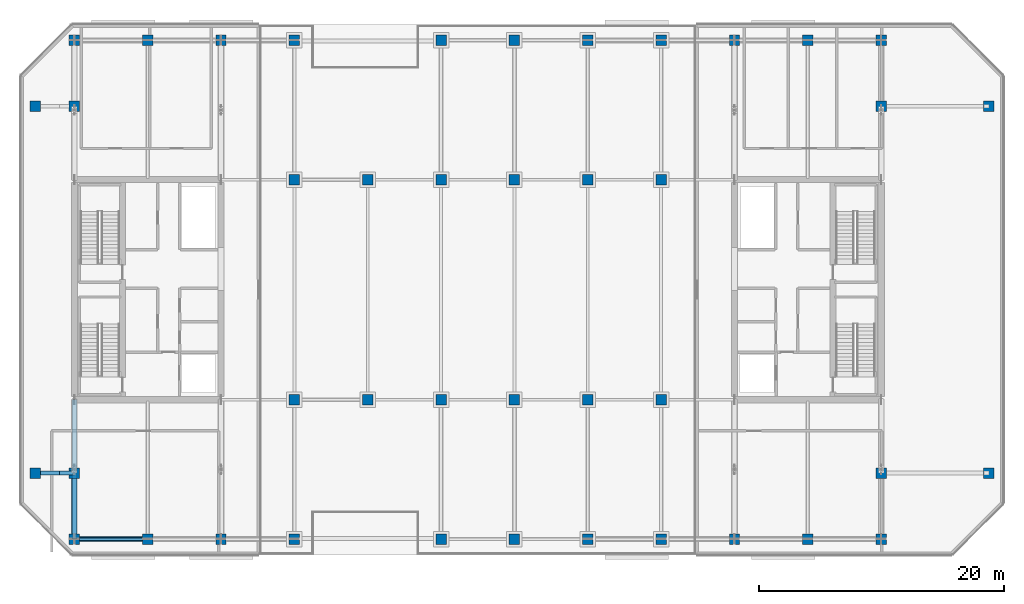
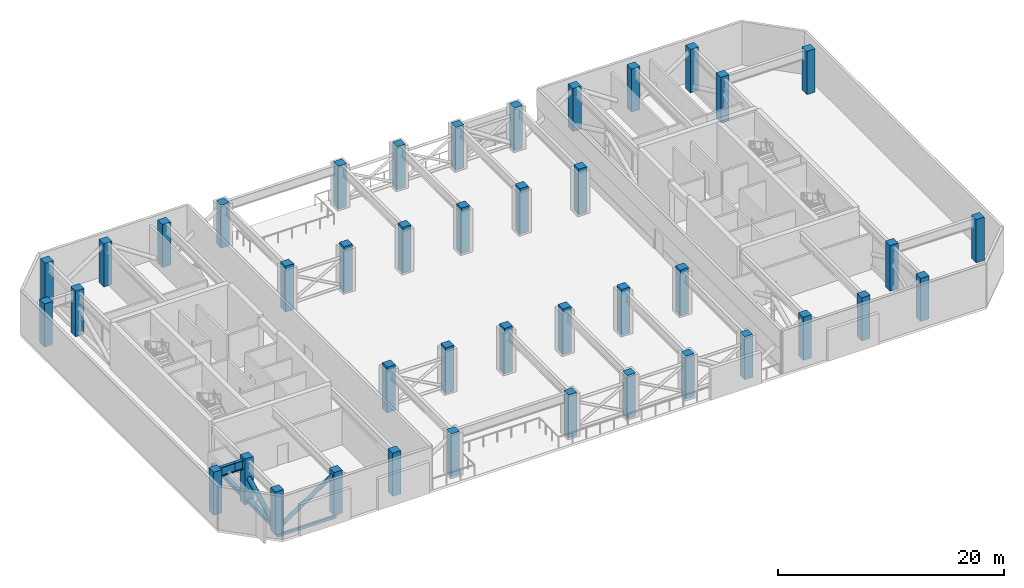
# One storey, part 1 of 18: 42 columns, 3 beams, 3 members.
"""IFC4 building model written with IfcOpenShell, lengths in metres."""

from ifc_helpers import new_model, si_unit, direction, frame, origin, origin_2d, place, context, subcontext, project, spatial, rectangle, hollow_rectangle, hollow_circle, i_section, extrude, material, material_profile, profile_set, type_object, element, save


model = new_model("IFC4")

# Units and contexts
model_context = context("Model", 3, precision=1e-05, world=origin(), true_north=direction((0.0, 1.0)))
body_context = subcontext(model_context, "Body", "Model", "MODEL_VIEW")
ifc_project = project(units=[si_unit("LENGTHUNIT", "METRE"), si_unit("AREAUNIT", "SQUARE_METRE"), si_unit("VOLUMEUNIT", "CUBIC_METRE"), si_unit("PLANEANGLEUNIT", "RADIAN"), si_unit("MASSUNIT", "GRAM", prefix="KILO")], contexts=[model_context])

# Site, building, storey
site_placement = place(None, origin())
site = spatial("IfcSite", under=ifc_project, at=site_placement, CompositionType="ELEMENT")
building_placement = place(site_placement, origin())
building = spatial("IfcBuilding", under=site, at=building_placement, Name="Tanjung Sevakor Pilgrim Tower", CompositionType="ELEMENT")
storey_placement = place(building_placement, frame((0.0, 0.0, 172.919921875)))
storey = spatial("IfcBuildingStorey", under=building, at=storey_placement, Name="L48", CompositionType="ELEMENT", Elevation=172.919921875)

# Columns
ifc_material_1 = material(Name="Concrete C60/75", Category="concrete")
ifc_material_profile_1 = material_profile(ifc_material_1, rectangle(XDim=0.85009765625, YDim=0.85009765625, at=origin_2d()))
ifc_profile_set_1 = profile_set([ifc_material_profile_1], Name="Concrete C60/75")
column_type = type_object("IfcColumnType", Name="COL-C-T850-RC_850x850", PredefinedType="COLUMN", material=ifc_profile_set_1)
for number, where, z_axis, x_axis, name in (
    (1, (42.0, 24.60009765625, 0.0), (0.0, 0.0, 1.0), (1.0, 0.0, 0.0), "L48 Column SPW-042-246"),
    (2, (42.0, 42.60009765625, 0.0), (0.0, 0.0, 1.0), (1.0, 0.0, 0.0), "L48 Column SPW-042-426"),
    (3, (48.0, 24.60009765625, 0.0), (0.0, 0.0, 1.0), (1.0, 0.0, 0.0), "L48 Column SPW-048-246"),
    (4, (48.0, 42.60009765625, 0.0), (0.0, 0.0, 1.0), (1.0, 0.0, 0.0), "L48 Column SPW-048-426"),
    (5, (54.0, 24.60009765625, 0.0), (0.0, 0.0, 1.0), (1.0, 0.0, 0.0), "L48 Column SPE-054-246"),
    (6, (54.0, 42.60009765625, 0.0), (0.0, 0.0, 1.0), (1.0, 0.0, 0.0), "L48 Column SPE-054-426"),
    (7, (60.0, 24.60009765625, 0.0), (0.0, 0.0, 1.0), (1.0, 0.0, 0.0), "L48 Column SPE-060-246"),
    (8, (60.0, 42.60009765625, 0.0), (0.0, 0.0, 1.0), (1.0, 0.0, 0.0), "L48 Column SPE-060-426"),
    (9, (66.0, 24.60009765625, 0.0), (0.0, 0.0, 1.0), (1.0, 0.0, 0.0), "L48 Column SPE-066-246"),
    (10, (66.0, 42.60009765625, 0.0), (0.0, 0.0, 1.0), (1.0, 0.0, 0.0), "L48 Column SPE-066-426"),
    (11, (72.0, 24.60009765625, 0.0), (0.0, 0.0, 1.0), (1.0, 0.0, 0.0), "L48 Column SPE-072-246"),
    (12, (72.0, 42.60009765625, 0.0), (0.0, 0.0, 1.0), (1.0, 0.0, 0.0), "L48 Column SPE-072-426"),
):
    element("IfcColumn", number, at=place(storey_placement, frame(where, z_axis=z_axis, x_axis=x_axis)), inside=storey, type_object=column_type, Name=name, PredefinedType="COLUMN", context=body_context, shape_type="SweptSolid", body=[
        extrude(rectangle(XDim=0.85009765625, YDim=0.85009765625, at=origin_2d()), origin(), (0.0, 0.0, 1.0), 4.9501953125),
    ])
for number, where, z_axis, x_axis, name in (
    (13, (20.800048828125, 18.60009765625, 0.0), (0.0, 0.0, 1.0), (1.0, 0.0, 0.0), "L48 Column TCE-0208-186"),
    (14, (20.800048828125, 48.60009765625, 0.0), (0.0, 0.0, 1.0), (1.0, 0.0, 0.0), "L48 Column TCE-0208-486"),
):
    element("IfcColumn", number, at=place(storey_placement, frame(where, z_axis=z_axis, x_axis=x_axis)), inside=storey, type_object=column_type, Name=name, PredefinedType="COLUMN", context=body_context, shape_type="SweptSolid", body=[
        extrude(rectangle(XDim=0.85009765625, YDim=0.85009765625, at=origin_2d()), origin(), (0.0, 0.0, 1.0), 4.670166015625),
    ])
for number, where, z_axis, x_axis, name in (
    (15, (24.0, 18.60009765625, 0.0), (0.0, 0.0, 1.0), (1.0, 0.0, 0.0), "L48 Column TCE-0240-186"),
    (16, (24.0, 48.60009765625, 0.0), (0.0, 0.0, 1.0), (1.0, 0.0, 0.0), "L48 Column TCE-0240-486"),
    (17, (90.0, 18.60009765625, 0.0), (0.0, 0.0, 1.0), (1.0, 0.0, 0.0), "L48 Column TCE-0900-186"),
    (18, (90.0, 48.60009765625, 0.0), (0.0, 0.0, 1.0), (1.0, 0.0, 0.0), "L48 Column TCE-0900-486"),
):
    element("IfcColumn", number, at=place(storey_placement, frame(where, z_axis=z_axis, x_axis=x_axis)), inside=storey, type_object=column_type, Name=name, PredefinedType="COLUMN", context=body_context, shape_type="SweptSolid", body=[
        extrude(rectangle(XDim=0.85009765625, YDim=0.85009765625, at=origin_2d()), origin(), (0.0, 0.0, 1.0), 4.9501953125),
    ])
for number, where, z_axis, x_axis, name in (
    (19, (98.800048828125, 18.60009765625, 0.0), (0.0, 0.0, 1.0), (1.0, 0.0, 0.0), "L48 Column TCE-0988-186"),
    (20, (98.800048828125, 48.60009765625, 0.0), (0.0, 0.0, 1.0), (1.0, 0.0, 0.0), "L48 Column TCE-0988-486"),
    (21, (24.0, 13.199951171875, 0.0), (0.0, 0.0, 1.0), (1.0, 0.0, 0.0), "L48 Column TC3-024-132"),
    (22, (24.0, 54.0, 0.0), (0.0, 0.0, 1.0), (1.0, 0.0, 0.0), "L48 Column TC3-024-540"),
    (23, (30.0, 13.199951171875, 0.0), (0.0, 0.0, 1.0), (1.0, 0.0, 0.0), "L48 Column TC3-030-132"),
    (24, (30.0, 54.0, 0.0), (0.0, 0.0, 1.0), (1.0, 0.0, 0.0), "L48 Column TC3-030-540"),
    (25, (36.0, 13.199951171875, 0.0), (0.0, 0.0, 1.0), (1.0, 0.0, 0.0), "L48 Column TC3-036-132"),
    (26, (36.0, 54.0, 0.0), (0.0, 0.0, 1.0), (1.0, 0.0, 0.0), "L48 Column TC3-036-540"),
    (27, (42.0, 13.199951171875, 0.0), (0.0, 0.0, 1.0), (1.0, 0.0, 0.0), "L48 Column TC3-042-132"),
    (28, (42.0, 54.0, 0.0), (0.0, 0.0, 1.0), (1.0, 0.0, 0.0), "L48 Column TC3-042-540"),
    (29, (54.0, 13.199951171875, 0.0), (0.0, 0.0, 1.0), (1.0, 0.0, 0.0), "L48 Column TC3-054-132"),
    (30, (54.0, 54.0, 0.0), (0.0, 0.0, 1.0), (1.0, 0.0, 0.0), "L48 Column TC3-054-540"),
    (31, (60.0, 13.199951171875, 0.0), (0.0, 0.0, 1.0), (1.0, 0.0, 0.0), "L48 Column TC3-060-132"),
    (32, (60.0, 54.0, 0.0), (0.0, 0.0, 1.0), (1.0, 0.0, 0.0), "L48 Column TC3-060-540"),
    (33, (66.0, 13.199951171875, 0.0), (0.0, 0.0, 1.0), (1.0, 0.0, 0.0), "L48 Column TC3-066-132"),
    (34, (66.0, 54.0, 0.0), (0.0, 0.0, 1.0), (1.0, 0.0, 0.0), "L48 Column TC3-066-540"),
    (35, (72.0, 13.199951171875, 0.0), (0.0, 0.0, 1.0), (1.0, 0.0, 0.0), "L48 Column TC3-072-132"),
    (36, (72.0, 54.0, 0.0), (0.0, 0.0, 1.0), (1.0, 0.0, 0.0), "L48 Column TC3-072-540"),
    (37, (78.0, 13.199951171875, 0.0), (0.0, 0.0, 1.0), (1.0, 0.0, 0.0), "L48 Column TC3-078-132"),
    (38, (78.0, 54.0, 0.0), (0.0, 0.0, 1.0), (1.0, 0.0, 0.0), "L48 Column TC3-078-540"),
    (39, (84.0, 13.199951171875, 0.0), (0.0, 0.0, 1.0), (1.0, 0.0, 0.0), "L48 Column TC3-084-132"),
    (40, (84.0, 54.0, 0.0), (0.0, 0.0, 1.0), (1.0, 0.0, 0.0), "L48 Column TC3-084-540"),
    (41, (90.0, 13.199951171875, 0.0), (0.0, 0.0, 1.0), (1.0, 0.0, 0.0), "L48 Column TC3-090-132"),
    (42, (90.0, 54.0, 0.0), (0.0, 0.0, 1.0), (1.0, 0.0, 0.0), "L48 Column TC3-090-540"),
):
    element("IfcColumn", number, at=place(storey_placement, frame(where, z_axis=z_axis, x_axis=x_axis)), inside=storey, type_object=column_type, Name=name, PredefinedType="COLUMN", context=body_context, shape_type="SweptSolid", body=[
        extrude(rectangle(XDim=0.85009765625, YDim=0.85009765625, at=origin_2d()), origin(), (0.0, 0.0, 1.0), 4.670166015625),
    ])

# Beams
ifc_material_2 = material(Name="Steel S460M", Category="steel")
ifc_material_profile_2 = material_profile(ifc_material_2, i_section(OverallWidth=0.302001953125, OverallDepth=1.008056640625, WebThickness=0.02099609375, FlangeThickness=0.0400390625, FilletRadius=0.030029296875, at=origin_2d()))
ifc_profile_set_2 = profile_set([ifc_material_profile_2], Name="Steel S460M")
beam_type_1 = type_object("IfcBeamType", Name="BM-B-G7-HE_1000M", PredefinedType="BEAM", material=ifc_profile_set_2)
beam_1_placement = place(storey_placement, frame((20.800048828125, 18.60009765625, 4.166015625), z_axis=(1.0, 0.0, 0.0), x_axis=(0.0, 1.0, 0.0)))
element("IfcBeam", 43, at=beam_1_placement, inside=storey, type_object=beam_type_1, Name="L48 Short-End Setback Transfer Girder W Y18.6-1", PredefinedType="BEAM", context=body_context, shape_type="SweptSolid", body=[
    extrude(i_section(OverallWidth=0.302001953125, OverallDepth=1.008056640625, WebThickness=0.02099609375, FlangeThickness=0.0400390625, FilletRadius=0.030029296875, at=origin_2d()), origin(), (0.0, 0.0, 1.0), 2.0),
])
beam_2_placement = place(storey_placement, frame((22.800048828125, 18.60009765625, 4.166015625), z_axis=(1.0, 0.0, 0.0), x_axis=(0.0, 1.0, 0.0)))
element("IfcBeam", 44, at=beam_2_placement, inside=storey, type_object=beam_type_1, Name="L48 Short-End Setback Transfer Girder W Y18.6-2", PredefinedType="BEAM", context=body_context, shape_type="SweptSolid", body=[
    extrude(i_section(OverallWidth=0.302001953125, OverallDepth=1.008056640625, WebThickness=0.02099609375, FlangeThickness=0.0400390625, FilletRadius=0.030029296875, at=origin_2d()), origin(), (0.0, 0.0, 1.0), 1.199951171875),
])
ifc_material_3 = material(Name="Steel S355J2", Category="steel")
ifc_material_profile_3 = material_profile(ifc_material_3, hollow_rectangle(XDim=0.199951171875, YDim=0.300048828125, WallThickness=0.012451171875, at=origin_2d()))
ifc_profile_set_3 = profile_set([ifc_material_profile_3], Name="Steel S355J2")
beam_type_2 = type_object("IfcBeamType", Name="BM-B-SP3-RHS_300x200x12.5", PredefinedType="SPANDREL", material=ifc_profile_set_3)
beam_3_placement = place(storey_placement, frame((24.0, 13.199951171875, -0.429931640625), z_axis=(1.0, 0.0, 0.0), x_axis=(0.0, 1.0, 0.0)))
element("IfcBeam", 45, at=beam_3_placement, inside=storey, type_object=beam_type_2, Name="L48 Spandrel MAIN S-01", PredefinedType="SPANDREL", context=body_context, shape_type="SweptSolid", body=[
    extrude(hollow_rectangle(XDim=0.199951171875, YDim=0.300048828125, WallThickness=0.012451171875, at=origin_2d()), origin(), (0.0, 0.0, 1.0), 6.0),
])

# Members
ifc_material_4 = material(Name="Steel S460M", Category="steel")
ifc_material_profile_4 = material_profile(ifc_material_4, hollow_circle(Radius=0.228515625, WallThickness=0.02490234375, at=origin_2d()))
ifc_profile_set_4 = profile_set([ifc_material_profile_4], Name="Steel S460M")
member_type_1 = type_object("IfcMemberType", Name="MEM-M-BR4-CHS_457x25", PredefinedType="BRACE", material=ifc_profile_set_4)
member_1_placement = place(storey_placement, frame((24.0, 13.199951171875, 0.35009765625), z_axis=(0.0, 0.904352899591, 0.426785464843), x_axis=(-1.0, 0.0, 0.0)))
element("IfcMember", 46, at=member_1_placement, inside=storey, type_object=member_type_1, Name="OT-2 L48 Outrigger Truss Diagonal 1 X24 S", PredefinedType="BRACE", context=body_context, shape_type="SweptSolid", body=[
    extrude(hollow_circle(Radius=0.228515625, WallThickness=0.02490234375, at=origin_2d()), origin(), (0.0, 0.0, 1.0), 6.302734375),
])
ifc_material_5 = material(Name="Steel S460M", Category="steel")
ifc_material_profile_5 = material_profile(ifc_material_5, hollow_circle(Radius=0.203125, WallThickness=0.02001953125, at=origin_2d()))
ifc_profile_set_5 = profile_set([ifc_material_profile_5], Name="Steel S460M")
member_type_2 = type_object("IfcMemberType", Name="MEM-M-BR5-CHS_406.4x20", PredefinedType="BRACE", material=ifc_profile_set_5)
member_2_placement = place(storey_placement, frame((24.0, 13.199951171875, 0.35009765625), z_axis=(0.832940851568, 0.0, 0.553362031395), x_axis=(0.0, 1.0, 0.0)))
element("IfcMember", 47, at=member_2_placement, inside=storey, type_object=member_type_2, Name="BT-1 L48 Belt Truss Diagonal Brace S-01", PredefinedType="BRACE", context=body_context, shape_type="SweptSolid", body=[
    extrude(hollow_circle(Radius=0.203125, WallThickness=0.02001953125, at=origin_2d()), origin(), (0.0, 0.0, 1.0), 7.203369140625),
])
ifc_material_6 = material(Name="Steel S460M", Category="steel")
ifc_material_profile_6 = material_profile(ifc_material_6, hollow_rectangle(XDim=0.39990234375, YDim=0.39990234375, WallThickness=0.02001953125, at=origin_2d()))
ifc_profile_set_6 = profile_set([ifc_material_profile_6], Name="Steel S460M")
member_type_3 = type_object("IfcMemberType", Name="MEM-M-CH4-SHS_400x400x20", PredefinedType="CHORD", material=ifc_profile_set_6)
member_3_placement = place(storey_placement, frame((24.0, 13.199951171875, 0.35009765625), z_axis=(0.0, 1.0, 0.0), x_axis=(-1.0, 0.0, 0.0)))
element("IfcMember", 48, at=member_3_placement, inside=storey, type_object=member_type_3, Name="OT-1 L48 Outrigger Truss Chord X24 S", PredefinedType="CHORD", context=body_context, shape_type="SweptSolid", body=[
    extrude(hollow_rectangle(XDim=0.39990234375, YDim=0.39990234375, WallThickness=0.02001953125, at=origin_2d()), origin(), (0.0, 0.0, 1.0), 11.400146484375),
])

save(model, "model.ifc")
